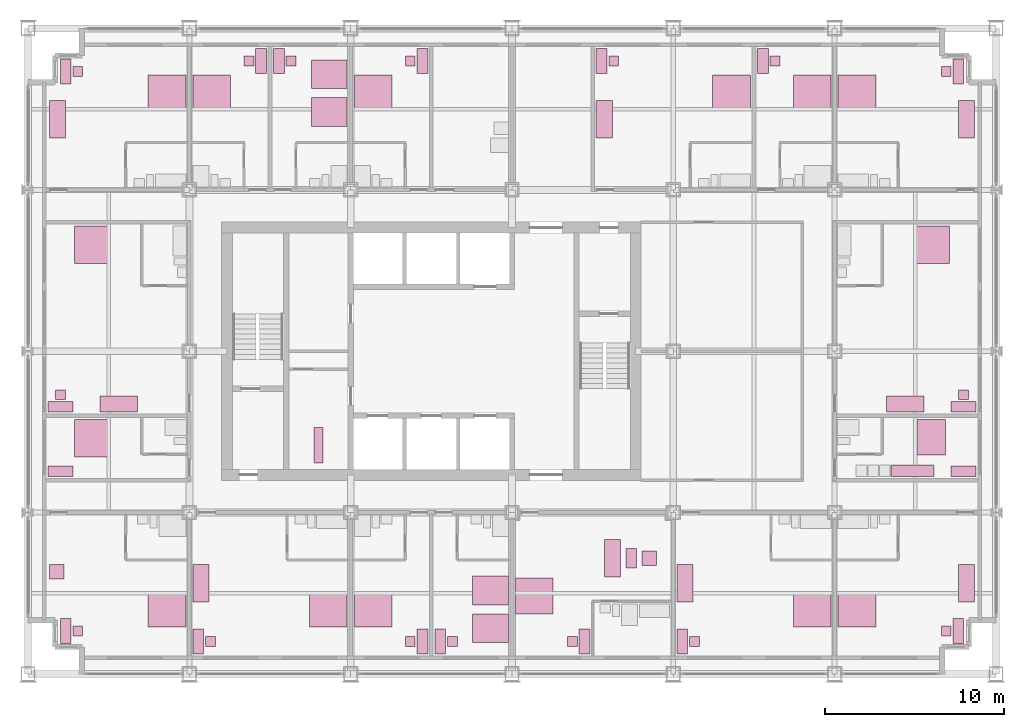
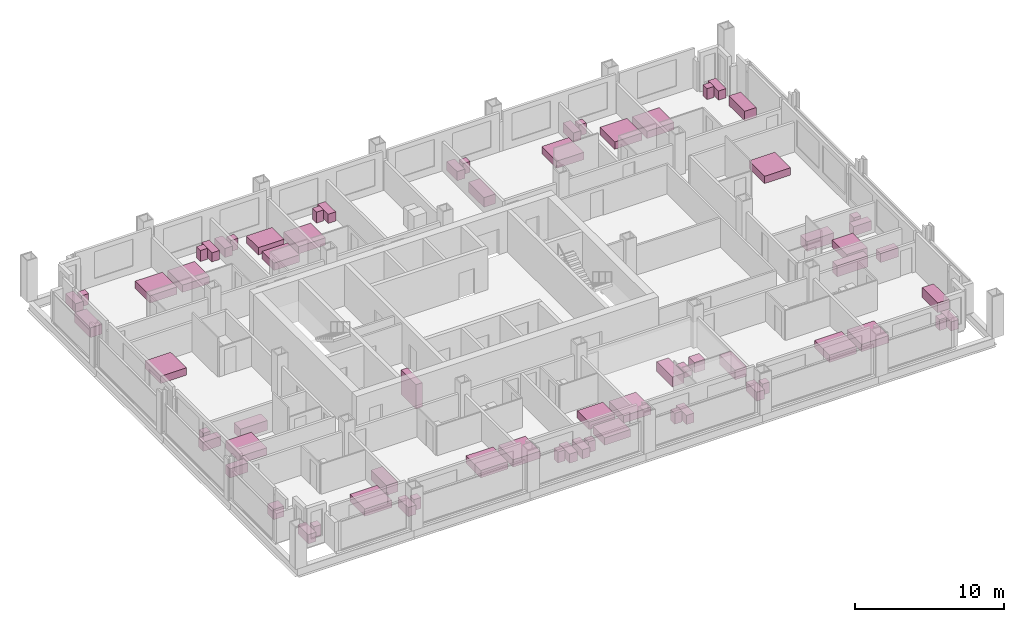
# One storey, part 18 of 18: 68 furniture elements.
"""IFC4 building model written with IfcOpenShell, lengths in metres."""

from ifc_helpers import new_model, si_unit, direction, frame, origin, origin_2d, place, context, subcontext, project, spatial, rectangle, extrude, element, save


model = new_model("IFC4")

# Units and contexts
model_context = context("Model", 3, precision=1e-05, world=origin(), true_north=direction((0.0, 1.0)))
body_context = subcontext(model_context, "Body", "Model", "MODEL_VIEW")
ifc_project = project(units=[si_unit("LENGTHUNIT", "METRE"), si_unit("AREAUNIT", "SQUARE_METRE"), si_unit("VOLUMEUNIT", "CUBIC_METRE"), si_unit("PLANEANGLEUNIT", "RADIAN"), si_unit("MASSUNIT", "GRAM", prefix="KILO")], contexts=[model_context])

# Site, building, storey
site_placement = place(None, origin())
site = spatial("IfcSite", under=ifc_project, at=site_placement, CompositionType="ELEMENT")
building_placement = place(site_placement, origin())
building = spatial("IfcBuilding", under=site, at=building_placement, Name="Loomwork Tower", CompositionType="ELEMENT")
storey_placement = place(building_placement, frame((0.0, 0.0, 68.800048828125)))
storey = spatial("IfcBuildingStorey", under=building, at=storey_placement, Name="L17", CompositionType="ELEMENT", Elevation=68.800048828125)

# Furniture
furniture_1_placement = place(storey_placement, frame((7.75, 3.60009765625, 0.0), z_axis=(0.0, 0.0, 1.0), x_axis=(1.0, 0.0, 0.0)))
element("IfcFurniture", 1, at=furniture_1_placement, inside=storey, Name="King bed L17", PredefinedType="BED", context=body_context, shape_type="SweptSolid", body=[
    extrude(rectangle(XDim=2.10009765625, YDim=2.0, at=origin_2d()), origin(), (0.0, 0.0, 1.0), 0.60009765625),
])
furniture_2_placement = place(storey_placement, frame((2.10009765625, 2.39990234375, 0.0), z_axis=(0.0, 0.0, 1.0), x_axis=(1.0, 0.0, 0.0)))
element("IfcFurniture", 2, at=furniture_2_placement, inside=storey, Name="Writing desk L17", PredefinedType="DESK", context=body_context, shape_type="SweptSolid", body=[
    extrude(rectangle(XDim=0.60009765625, YDim=1.39990234375, at=origin_2d()), origin(), (0.0, 0.0, 1.0), 0.75),
])
furniture_3_placement = place(storey_placement, frame((2.77490234375, 2.39990234375, 0.0), z_axis=(0.0, 0.0, 1.0), x_axis=(1.0, 0.0, 0.0)))
element("IfcFurniture", 3, at=furniture_3_placement, inside=storey, Name="Desk chair L17", PredefinedType="CHAIR", context=body_context, shape_type="SweptSolid", body=[
    extrude(rectangle(XDim=0.550048828125, YDim=0.550048828125, at=origin_2d()), origin(), (0.0, 0.0, 1.0), 0.89990234375),
])
furniture_4_placement = place(storey_placement, frame((1.60009765625, 5.699951171875, 0.0), z_axis=(0.0, 0.0, 1.0), x_axis=(1.0, 0.0, 0.0)))
element("IfcFurniture", 4, at=furniture_4_placement, inside=storey, Name="Lounge armchair L17", PredefinedType="CHAIR", context=body_context, shape_type="SweptSolid", body=[
    extrude(rectangle(XDim=0.800048828125, YDim=0.800048828125, at=origin_2d()), origin(), (0.0, 0.0, 1.0), 0.85009765625),
])
furniture_5_placement = place(storey_placement, frame((16.75, 3.60009765625, 0.0), z_axis=(0.0, 0.0, 1.0), x_axis=(1.0, 0.0, 0.0)))
element("IfcFurniture", 5, at=furniture_5_placement, inside=storey, Name="King bed L17", PredefinedType="BED", context=body_context, shape_type="SweptSolid", body=[
    extrude(rectangle(XDim=2.10009765625, YDim=2.0, at=origin_2d()), origin(), (0.0, 0.0, 1.0), 0.60009765625),
])
furniture_6_placement = place(storey_placement, frame((9.5, 1.800048828125, 0.0), z_axis=(0.0, 0.0, 1.0), x_axis=(1.0, 0.0, 0.0)))
element("IfcFurniture", 6, at=furniture_6_placement, inside=storey, Name="Writing desk L17", PredefinedType="DESK", context=body_context, shape_type="SweptSolid", body=[
    extrude(rectangle(XDim=0.60009765625, YDim=1.39990234375, at=origin_2d()), origin(), (0.0, 0.0, 1.0), 0.75),
])
furniture_7_placement = place(storey_placement, frame((10.175048828125, 1.800048828125, 0.0), z_axis=(0.0, 0.0, 1.0), x_axis=(1.0, 0.0, 0.0)))
element("IfcFurniture", 7, at=furniture_7_placement, inside=storey, Name="Desk chair L17", PredefinedType="CHAIR", context=body_context, shape_type="SweptSolid", body=[
    extrude(rectangle(XDim=0.550048828125, YDim=0.550048828125, at=origin_2d()), origin(), (0.0, 0.0, 1.0), 0.89990234375),
])
furniture_8_placement = place(storey_placement, frame((9.64990234375, 5.050048828125, 0.0), z_axis=(0.0, 0.0, 1.0), x_axis=(1.0, 0.0, 0.0)))
element("IfcFurniture", 8, at=furniture_8_placement, inside=storey, Name="Sofa L17", PredefinedType="SOFA", context=body_context, shape_type="SweptSolid", body=[
    extrude(rectangle(XDim=0.89990234375, YDim=2.10009765625, at=origin_2d()), origin(), (0.0, 0.0, 1.0), 0.800048828125),
])
furniture_9_placement = place(storey_placement, frame((19.25, 3.60009765625, 0.0), z_axis=(0.0, 0.0, 1.0), x_axis=(1.0, 0.0, 0.0)))
element("IfcFurniture", 9, at=furniture_9_placement, inside=storey, Name="King bed L17", PredefinedType="BED", context=body_context, shape_type="SweptSolid", body=[
    extrude(rectangle(XDim=2.10009765625, YDim=2.0, at=origin_2d()), origin(), (0.0, 0.0, 1.0), 0.60009765625),
])
furniture_10_placement = place(storey_placement, frame((22.0, 1.800048828125, 0.0), z_axis=(0.0, 0.0, 1.0), x_axis=(1.0, 0.0, 0.0)))
element("IfcFurniture", 10, at=furniture_10_placement, inside=storey, Name="Writing desk L17", PredefinedType="DESK", context=body_context, shape_type="SweptSolid", body=[
    extrude(rectangle(XDim=0.60009765625, YDim=1.39990234375, at=origin_2d()), origin(), (0.0, 0.0, 1.0), 0.75),
])
furniture_11_placement = place(storey_placement, frame((21.324951171875, 1.800048828125, 0.0), z_axis=(0.0, 0.0, 1.0), x_axis=(1.0, 0.0, 0.0)))
element("IfcFurniture", 11, at=furniture_11_placement, inside=storey, Name="Desk chair L17", PredefinedType="CHAIR", context=body_context, shape_type="SweptSolid", body=[
    extrude(rectangle(XDim=0.550048828125, YDim=0.550048828125, at=origin_2d()), origin(), (0.0, 0.0, 1.0), 0.89990234375),
])
for number, where, z_axis, x_axis, name in (
    (12, (25.800048828125, 4.64990234375, 0.0), (0.0, 0.0, 1.0), (1.0, 0.0, 0.0), "Queen bed L17"),
    (13, (25.800048828125, 2.550048828125, 0.0), (0.0, 0.0, 1.0), (1.0, 0.0, 0.0), "Queen bed L17"),
):
    element("IfcFurniture", number, at=place(storey_placement, frame(where, z_axis=z_axis, x_axis=x_axis)), inside=storey, Name=name, PredefinedType="BED", context=body_context, shape_type="SweptSolid", body=[
        extrude(rectangle(XDim=2.0, YDim=1.60009765625, at=origin_2d()), origin(), (0.0, 0.0, 1.0), 0.60009765625),
    ])
furniture_12_placement = place(storey_placement, frame((23.0, 1.800048828125, 0.0), z_axis=(0.0, 0.0, 1.0), x_axis=(1.0, 0.0, 0.0)))
element("IfcFurniture", 14, at=furniture_12_placement, inside=storey, Name="Writing desk L17", PredefinedType="DESK", context=body_context, shape_type="SweptSolid", body=[
    extrude(rectangle(XDim=0.60009765625, YDim=1.39990234375, at=origin_2d()), origin(), (0.0, 0.0, 1.0), 0.75),
])
furniture_13_placement = place(storey_placement, frame((23.675048828125, 1.800048828125, 0.0), z_axis=(0.0, 0.0, 1.0), x_axis=(1.0, 0.0, 0.0)))
element("IfcFurniture", 15, at=furniture_13_placement, inside=storey, Name="Desk chair L17", PredefinedType="CHAIR", context=body_context, shape_type="SweptSolid", body=[
    extrude(rectangle(XDim=0.550048828125, YDim=0.550048828125, at=origin_2d()), origin(), (0.0, 0.0, 1.0), 0.89990234375),
])
furniture_14_placement = place(storey_placement, frame((28.25, 4.35009765625, 0.0), z_axis=(0.0, 0.0, 1.0), x_axis=(1.0, 0.0, 0.0)))
element("IfcFurniture", 16, at=furniture_14_placement, inside=storey, Name="King bed L17", PredefinedType="BED", context=body_context, shape_type="SweptSolid", body=[
    extrude(rectangle(XDim=2.10009765625, YDim=2.0, at=origin_2d()), origin(), (0.0, 0.0, 1.0), 0.60009765625),
])
furniture_15_placement = place(storey_placement, frame((31.050048828125, 1.800048828125, 0.0), z_axis=(0.0, 0.0, 1.0), x_axis=(1.0, 0.0, 0.0)))
element("IfcFurniture", 17, at=furniture_15_placement, inside=storey, Name="Writing desk L17", PredefinedType="DESK", context=body_context, shape_type="SweptSolid", body=[
    extrude(rectangle(XDim=0.60009765625, YDim=1.39990234375, at=origin_2d()), origin(), (0.0, 0.0, 1.0), 0.75),
])
furniture_16_placement = place(storey_placement, frame((30.375, 1.800048828125, 0.0), z_axis=(0.0, 0.0, 1.0), x_axis=(1.0, 0.0, 0.0)))
element("IfcFurniture", 18, at=furniture_16_placement, inside=storey, Name="Desk chair L17", PredefinedType="CHAIR", context=body_context, shape_type="SweptSolid", body=[
    extrude(rectangle(XDim=0.550048828125, YDim=0.550048828125, at=origin_2d()), origin(), (0.0, 0.0, 1.0), 0.89990234375),
])
furniture_17_placement = place(storey_placement, frame((32.60009765625, 6.449951171875, 0.0), z_axis=(0.0, 0.0, 1.0), x_axis=(1.0, 0.0, 0.0)))
element("IfcFurniture", 19, at=furniture_17_placement, inside=storey, Name="Sofa L17", PredefinedType="SOFA", context=body_context, shape_type="SweptSolid", body=[
    extrude(rectangle(XDim=0.89990234375, YDim=2.10009765625, at=origin_2d()), origin(), (0.0, 0.0, 1.0), 0.800048828125),
])
furniture_18_placement = place(storey_placement, frame((33.64990234375, 6.449951171875, 0.0), z_axis=(0.0, 0.0, 1.0), x_axis=(1.0, 0.0, 0.0)))
element("IfcFurniture", 20, at=furniture_18_placement, inside=storey, Name="Coffee table L17", PredefinedType="TABLE", context=body_context, shape_type="SweptSolid", body=[
    extrude(rectangle(XDim=0.60009765625, YDim=1.10009765625, at=origin_2d()), origin(), (0.0, 0.0, 1.0), 0.449951171875),
])
furniture_19_placement = place(storey_placement, frame((34.64990234375, 6.449951171875, 0.0), z_axis=(0.0, 0.0, 1.0), x_axis=(1.0, 0.0, 0.0)))
element("IfcFurniture", 21, at=furniture_19_placement, inside=storey, Name="Lounge armchair L17", PredefinedType="CHAIR", context=body_context, shape_type="SweptSolid", body=[
    extrude(rectangle(XDim=0.800048828125, YDim=0.800048828125, at=origin_2d()), origin(), (0.0, 0.0, 1.0), 0.85009765625),
])
furniture_20_placement = place(storey_placement, frame((43.75, 3.60009765625, 0.0), z_axis=(0.0, 0.0, 1.0), x_axis=(1.0, 0.0, 0.0)))
element("IfcFurniture", 22, at=furniture_20_placement, inside=storey, Name="King bed L17", PredefinedType="BED", context=body_context, shape_type="SweptSolid", body=[
    extrude(rectangle(XDim=2.10009765625, YDim=2.0, at=origin_2d()), origin(), (0.0, 0.0, 1.0), 0.60009765625),
])
furniture_21_placement = place(storey_placement, frame((36.5, 1.800048828125, 0.0), z_axis=(0.0, 0.0, 1.0), x_axis=(1.0, 0.0, 0.0)))
element("IfcFurniture", 23, at=furniture_21_placement, inside=storey, Name="Writing desk L17", PredefinedType="DESK", context=body_context, shape_type="SweptSolid", body=[
    extrude(rectangle(XDim=0.60009765625, YDim=1.39990234375, at=origin_2d()), origin(), (0.0, 0.0, 1.0), 0.75),
])
furniture_22_placement = place(storey_placement, frame((37.175048828125, 1.800048828125, 0.0), z_axis=(0.0, 0.0, 1.0), x_axis=(1.0, 0.0, 0.0)))
element("IfcFurniture", 24, at=furniture_22_placement, inside=storey, Name="Desk chair L17", PredefinedType="CHAIR", context=body_context, shape_type="SweptSolid", body=[
    extrude(rectangle(XDim=0.550048828125, YDim=0.550048828125, at=origin_2d()), origin(), (0.0, 0.0, 1.0), 0.89990234375),
])
furniture_23_placement = place(storey_placement, frame((36.64990234375, 5.050048828125, 0.0), z_axis=(0.0, 0.0, 1.0), x_axis=(1.0, 0.0, 0.0)))
element("IfcFurniture", 25, at=furniture_23_placement, inside=storey, Name="Sofa L17", PredefinedType="SOFA", context=body_context, shape_type="SweptSolid", body=[
    extrude(rectangle(XDim=0.89990234375, YDim=2.10009765625, at=origin_2d()), origin(), (0.0, 0.0, 1.0), 0.800048828125),
])
furniture_24_placement = place(storey_placement, frame((46.25, 3.60009765625, 0.0), z_axis=(0.0, 0.0, 1.0), x_axis=(1.0, 0.0, 0.0)))
element("IfcFurniture", 26, at=furniture_24_placement, inside=storey, Name="King bed L17", PredefinedType="BED", context=body_context, shape_type="SweptSolid", body=[
    extrude(rectangle(XDim=2.10009765625, YDim=2.0, at=origin_2d()), origin(), (0.0, 0.0, 1.0), 0.60009765625),
])
furniture_25_placement = place(storey_placement, frame((51.89990234375, 2.39990234375, 0.0), z_axis=(0.0, 0.0, 1.0), x_axis=(1.0, 0.0, 0.0)))
element("IfcFurniture", 27, at=furniture_25_placement, inside=storey, Name="Writing desk L17", PredefinedType="DESK", context=body_context, shape_type="SweptSolid", body=[
    extrude(rectangle(XDim=0.60009765625, YDim=1.39990234375, at=origin_2d()), origin(), (0.0, 0.0, 1.0), 0.75),
])
furniture_26_placement = place(storey_placement, frame((51.22509765625, 2.39990234375, 0.0), z_axis=(0.0, 0.0, 1.0), x_axis=(1.0, 0.0, 0.0)))
element("IfcFurniture", 28, at=furniture_26_placement, inside=storey, Name="Desk chair L17", PredefinedType="CHAIR", context=body_context, shape_type="SweptSolid", body=[
    extrude(rectangle(XDim=0.550048828125, YDim=0.550048828125, at=origin_2d()), origin(), (0.0, 0.0, 1.0), 0.89990234375),
])
furniture_27_placement = place(storey_placement, frame((52.35009765625, 5.050048828125, 0.0), z_axis=(0.0, 0.0, 1.0), x_axis=(1.0, 0.0, 0.0)))
element("IfcFurniture", 29, at=furniture_27_placement, inside=storey, Name="Sofa L17", PredefinedType="SOFA", context=body_context, shape_type="SweptSolid", body=[
    extrude(rectangle(XDim=0.89990234375, YDim=2.10009765625, at=origin_2d()), origin(), (0.0, 0.0, 1.0), 0.800048828125),
])
furniture_28_placement = place(storey_placement, frame((7.75, 32.39990234375, 0.0), z_axis=(0.0, 0.0, 1.0), x_axis=(1.0, 0.0, 0.0)))
element("IfcFurniture", 30, at=furniture_28_placement, inside=storey, Name="King bed L17", PredefinedType="BED", context=body_context, shape_type="SweptSolid", body=[
    extrude(rectangle(XDim=2.10009765625, YDim=2.0, at=origin_2d()), origin(), (0.0, 0.0, 1.0), 0.60009765625),
])
furniture_29_placement = place(storey_placement, frame((2.10009765625, 33.60009765625, 0.0), z_axis=(0.0, 0.0, 1.0), x_axis=(1.0, 0.0, 0.0)))
element("IfcFurniture", 31, at=furniture_29_placement, inside=storey, Name="Writing desk L17", PredefinedType="DESK", context=body_context, shape_type="SweptSolid", body=[
    extrude(rectangle(XDim=0.60009765625, YDim=1.39990234375, at=origin_2d()), origin(), (0.0, 0.0, 1.0), 0.75),
])
furniture_30_placement = place(storey_placement, frame((2.77490234375, 33.60009765625, 0.0), z_axis=(0.0, 0.0, 1.0), x_axis=(1.0, 0.0, 0.0)))
element("IfcFurniture", 32, at=furniture_30_placement, inside=storey, Name="Desk chair L17", PredefinedType="CHAIR", context=body_context, shape_type="SweptSolid", body=[
    extrude(rectangle(XDim=0.550048828125, YDim=0.550048828125, at=origin_2d()), origin(), (0.0, 0.0, 1.0), 0.89990234375),
])
furniture_31_placement = place(storey_placement, frame((1.64990234375, 30.949951171875, 0.0), z_axis=(0.0, 0.0, 1.0), x_axis=(1.0, 0.0, 0.0)))
element("IfcFurniture", 33, at=furniture_31_placement, inside=storey, Name="Sofa L17", PredefinedType="SOFA", context=body_context, shape_type="SweptSolid", body=[
    extrude(rectangle(XDim=0.89990234375, YDim=2.10009765625, at=origin_2d()), origin(), (0.0, 0.0, 1.0), 0.800048828125),
])
furniture_32_placement = place(storey_placement, frame((10.25, 32.39990234375, 0.0), z_axis=(0.0, 0.0, 1.0), x_axis=(1.0, 0.0, 0.0)))
element("IfcFurniture", 34, at=furniture_32_placement, inside=storey, Name="King bed L17", PredefinedType="BED", context=body_context, shape_type="SweptSolid", body=[
    extrude(rectangle(XDim=2.10009765625, YDim=2.0, at=origin_2d()), origin(), (0.0, 0.0, 1.0), 0.60009765625),
])
furniture_33_placement = place(storey_placement, frame((13.0, 34.199951171875, 0.0), z_axis=(0.0, 0.0, 1.0), x_axis=(1.0, 0.0, 0.0)))
element("IfcFurniture", 35, at=furniture_33_placement, inside=storey, Name="Writing desk L17", PredefinedType="DESK", context=body_context, shape_type="SweptSolid", body=[
    extrude(rectangle(XDim=0.60009765625, YDim=1.39990234375, at=origin_2d()), origin(), (0.0, 0.0, 1.0), 0.75),
])
furniture_34_placement = place(storey_placement, frame((12.324951171875, 34.199951171875, 0.0), z_axis=(0.0, 0.0, 1.0), x_axis=(1.0, 0.0, 0.0)))
element("IfcFurniture", 36, at=furniture_34_placement, inside=storey, Name="Desk chair L17", PredefinedType="CHAIR", context=body_context, shape_type="SweptSolid", body=[
    extrude(rectangle(XDim=0.550048828125, YDim=0.550048828125, at=origin_2d()), origin(), (0.0, 0.0, 1.0), 0.89990234375),
])
for number, where, z_axis, x_axis, name in (
    (37, (16.800048828125, 31.35009765625, 0.0), (0.0, 0.0, 1.0), (1.0, 0.0, 0.0), "Queen bed L17"),
    (38, (16.800048828125, 33.449951171875, 0.0), (0.0, 0.0, 1.0), (1.0, 0.0, 0.0), "Queen bed L17"),
):
    element("IfcFurniture", number, at=place(storey_placement, frame(where, z_axis=z_axis, x_axis=x_axis)), inside=storey, Name=name, PredefinedType="BED", context=body_context, shape_type="SweptSolid", body=[
        extrude(rectangle(XDim=2.0, YDim=1.60009765625, at=origin_2d()), origin(), (0.0, 0.0, 1.0), 0.60009765625),
    ])
furniture_35_placement = place(storey_placement, frame((14.0, 34.199951171875, 0.0), z_axis=(0.0, 0.0, 1.0), x_axis=(1.0, 0.0, 0.0)))
element("IfcFurniture", 39, at=furniture_35_placement, inside=storey, Name="Writing desk L17", PredefinedType="DESK", context=body_context, shape_type="SweptSolid", body=[
    extrude(rectangle(XDim=0.60009765625, YDim=1.39990234375, at=origin_2d()), origin(), (0.0, 0.0, 1.0), 0.75),
])
furniture_36_placement = place(storey_placement, frame((14.675048828125, 34.199951171875, 0.0), z_axis=(0.0, 0.0, 1.0), x_axis=(1.0, 0.0, 0.0)))
element("IfcFurniture", 40, at=furniture_36_placement, inside=storey, Name="Desk chair L17", PredefinedType="CHAIR", context=body_context, shape_type="SweptSolid", body=[
    extrude(rectangle(XDim=0.550048828125, YDim=0.550048828125, at=origin_2d()), origin(), (0.0, 0.0, 1.0), 0.89990234375),
])
furniture_37_placement = place(storey_placement, frame((19.25, 32.39990234375, 0.0), z_axis=(0.0, 0.0, 1.0), x_axis=(1.0, 0.0, 0.0)))
element("IfcFurniture", 41, at=furniture_37_placement, inside=storey, Name="King bed L17", PredefinedType="BED", context=body_context, shape_type="SweptSolid", body=[
    extrude(rectangle(XDim=2.10009765625, YDim=2.0, at=origin_2d()), origin(), (0.0, 0.0, 1.0), 0.60009765625),
])
furniture_38_placement = place(storey_placement, frame((22.0, 34.199951171875, 0.0), z_axis=(0.0, 0.0, 1.0), x_axis=(1.0, 0.0, 0.0)))
element("IfcFurniture", 42, at=furniture_38_placement, inside=storey, Name="Writing desk L17", PredefinedType="DESK", context=body_context, shape_type="SweptSolid", body=[
    extrude(rectangle(XDim=0.60009765625, YDim=1.39990234375, at=origin_2d()), origin(), (0.0, 0.0, 1.0), 0.75),
])
furniture_39_placement = place(storey_placement, frame((21.324951171875, 34.199951171875, 0.0), z_axis=(0.0, 0.0, 1.0), x_axis=(1.0, 0.0, 0.0)))
element("IfcFurniture", 43, at=furniture_39_placement, inside=storey, Name="Desk chair L17", PredefinedType="CHAIR", context=body_context, shape_type="SweptSolid", body=[
    extrude(rectangle(XDim=0.550048828125, YDim=0.550048828125, at=origin_2d()), origin(), (0.0, 0.0, 1.0), 0.89990234375),
])
furniture_40_placement = place(storey_placement, frame((39.25, 32.39990234375, 0.0), z_axis=(0.0, 0.0, 1.0), x_axis=(1.0, 0.0, 0.0)))
element("IfcFurniture", 44, at=furniture_40_placement, inside=storey, Name="King bed L17", PredefinedType="BED", context=body_context, shape_type="SweptSolid", body=[
    extrude(rectangle(XDim=2.10009765625, YDim=2.0, at=origin_2d()), origin(), (0.0, 0.0, 1.0), 0.60009765625),
])
furniture_41_placement = place(storey_placement, frame((32.0, 34.199951171875, 0.0), z_axis=(0.0, 0.0, 1.0), x_axis=(1.0, 0.0, 0.0)))
element("IfcFurniture", 45, at=furniture_41_placement, inside=storey, Name="Writing desk L17", PredefinedType="DESK", context=body_context, shape_type="SweptSolid", body=[
    extrude(rectangle(XDim=0.60009765625, YDim=1.39990234375, at=origin_2d()), origin(), (0.0, 0.0, 1.0), 0.75),
])
furniture_42_placement = place(storey_placement, frame((32.675048828125, 34.199951171875, 0.0), z_axis=(0.0, 0.0, 1.0), x_axis=(1.0, 0.0, 0.0)))
element("IfcFurniture", 46, at=furniture_42_placement, inside=storey, Name="Desk chair L17", PredefinedType="CHAIR", context=body_context, shape_type="SweptSolid", body=[
    extrude(rectangle(XDim=0.550048828125, YDim=0.550048828125, at=origin_2d()), origin(), (0.0, 0.0, 1.0), 0.89990234375),
])
furniture_43_placement = place(storey_placement, frame((32.14990234375, 30.949951171875, 0.0), z_axis=(0.0, 0.0, 1.0), x_axis=(1.0, 0.0, 0.0)))
element("IfcFurniture", 47, at=furniture_43_placement, inside=storey, Name="Sofa L17", PredefinedType="SOFA", context=body_context, shape_type="SweptSolid", body=[
    extrude(rectangle(XDim=0.89990234375, YDim=2.10009765625, at=origin_2d()), origin(), (0.0, 0.0, 1.0), 0.800048828125),
])
furniture_44_placement = place(storey_placement, frame((43.75, 32.39990234375, 0.0), z_axis=(0.0, 0.0, 1.0), x_axis=(1.0, 0.0, 0.0)))
element("IfcFurniture", 48, at=furniture_44_placement, inside=storey, Name="King bed L17", PredefinedType="BED", context=body_context, shape_type="SweptSolid", body=[
    extrude(rectangle(XDim=2.10009765625, YDim=2.0, at=origin_2d()), origin(), (0.0, 0.0, 1.0), 0.60009765625),
])
furniture_45_placement = place(storey_placement, frame((41.0, 34.199951171875, 0.0), z_axis=(0.0, 0.0, 1.0), x_axis=(1.0, 0.0, 0.0)))
element("IfcFurniture", 49, at=furniture_45_placement, inside=storey, Name="Writing desk L17", PredefinedType="DESK", context=body_context, shape_type="SweptSolid", body=[
    extrude(rectangle(XDim=0.60009765625, YDim=1.39990234375, at=origin_2d()), origin(), (0.0, 0.0, 1.0), 0.75),
])
furniture_46_placement = place(storey_placement, frame((41.675048828125, 34.199951171875, 0.0), z_axis=(0.0, 0.0, 1.0), x_axis=(1.0, 0.0, 0.0)))
element("IfcFurniture", 50, at=furniture_46_placement, inside=storey, Name="Desk chair L17", PredefinedType="CHAIR", context=body_context, shape_type="SweptSolid", body=[
    extrude(rectangle(XDim=0.550048828125, YDim=0.550048828125, at=origin_2d()), origin(), (0.0, 0.0, 1.0), 0.89990234375),
])
furniture_47_placement = place(storey_placement, frame((46.25, 32.39990234375, 0.0), z_axis=(0.0, 0.0, 1.0), x_axis=(1.0, 0.0, 0.0)))
element("IfcFurniture", 51, at=furniture_47_placement, inside=storey, Name="King bed L17", PredefinedType="BED", context=body_context, shape_type="SweptSolid", body=[
    extrude(rectangle(XDim=2.10009765625, YDim=2.0, at=origin_2d()), origin(), (0.0, 0.0, 1.0), 0.60009765625),
])
furniture_48_placement = place(storey_placement, frame((51.89990234375, 33.60009765625, 0.0), z_axis=(0.0, 0.0, 1.0), x_axis=(1.0, 0.0, 0.0)))
element("IfcFurniture", 52, at=furniture_48_placement, inside=storey, Name="Writing desk L17", PredefinedType="DESK", context=body_context, shape_type="SweptSolid", body=[
    extrude(rectangle(XDim=0.60009765625, YDim=1.39990234375, at=origin_2d()), origin(), (0.0, 0.0, 1.0), 0.75),
])
furniture_49_placement = place(storey_placement, frame((51.22509765625, 33.60009765625, 0.0), z_axis=(0.0, 0.0, 1.0), x_axis=(1.0, 0.0, 0.0)))
element("IfcFurniture", 53, at=furniture_49_placement, inside=storey, Name="Desk chair L17", PredefinedType="CHAIR", context=body_context, shape_type="SweptSolid", body=[
    extrude(rectangle(XDim=0.550048828125, YDim=0.550048828125, at=origin_2d()), origin(), (0.0, 0.0, 1.0), 0.89990234375),
])
furniture_50_placement = place(storey_placement, frame((52.35009765625, 30.949951171875, 0.0), z_axis=(0.0, 0.0, 1.0), x_axis=(1.0, 0.0, 0.0)))
element("IfcFurniture", 54, at=furniture_50_placement, inside=storey, Name="Sofa L17", PredefinedType="SOFA", context=body_context, shape_type="SweptSolid", body=[
    extrude(rectangle(XDim=0.89990234375, YDim=2.10009765625, at=origin_2d()), origin(), (0.0, 0.0, 1.0), 0.800048828125),
])
furniture_51_placement = place(storey_placement, frame((3.60009765625, 13.14990234375, 0.0), z_axis=(0.0, 0.0, 1.0), x_axis=(1.0, 0.0, 0.0)))
element("IfcFurniture", 55, at=furniture_51_placement, inside=storey, Name="King bed L17", PredefinedType="BED", context=body_context, shape_type="SweptSolid", body=[
    extrude(rectangle(XDim=2.0, YDim=2.10009765625, at=origin_2d()), origin(), (0.0, 0.0, 1.0), 0.60009765625),
])
furniture_52_placement = place(storey_placement, frame((1.800048828125, 11.300048828125, 0.0), z_axis=(0.0, 0.0, 1.0), x_axis=(1.0, 0.0, 0.0)))
element("IfcFurniture", 56, at=furniture_52_placement, inside=storey, Name="Writing desk L17", PredefinedType="DESK", context=body_context, shape_type="SweptSolid", body=[
    extrude(rectangle(XDim=1.39990234375, YDim=0.60009765625, at=origin_2d()), origin(), (0.0, 0.0, 1.0), 0.75),
])
furniture_53_placement = place(storey_placement, frame((3.60009765625, 23.949951171875, 0.0), z_axis=(0.0, 0.0, 1.0), x_axis=(1.0, 0.0, 0.0)))
element("IfcFurniture", 57, at=furniture_53_placement, inside=storey, Name="King bed L17", PredefinedType="BED", context=body_context, shape_type="SweptSolid", body=[
    extrude(rectangle(XDim=2.0, YDim=2.10009765625, at=origin_2d()), origin(), (0.0, 0.0, 1.0), 0.60009765625),
])
furniture_54_placement = place(storey_placement, frame((1.800048828125, 14.89990234375, 0.0), z_axis=(0.0, 0.0, 1.0), x_axis=(1.0, 0.0, 0.0)))
element("IfcFurniture", 58, at=furniture_54_placement, inside=storey, Name="Writing desk L17", PredefinedType="DESK", context=body_context, shape_type="SweptSolid", body=[
    extrude(rectangle(XDim=1.39990234375, YDim=0.60009765625, at=origin_2d()), origin(), (0.0, 0.0, 1.0), 0.75),
])
furniture_55_placement = place(storey_placement, frame((1.800048828125, 15.574951171875, 0.0), z_axis=(0.0, 0.0, 1.0), x_axis=(1.0, 0.0, 0.0)))
element("IfcFurniture", 59, at=furniture_55_placement, inside=storey, Name="Desk chair L17", PredefinedType="CHAIR", context=body_context, shape_type="SweptSolid", body=[
    extrude(rectangle(XDim=0.550048828125, YDim=0.550048828125, at=origin_2d()), origin(), (0.0, 0.0, 1.0), 0.89990234375),
])
furniture_56_placement = place(storey_placement, frame((5.050048828125, 15.050048828125, 0.0), z_axis=(0.0, 0.0, 1.0), x_axis=(1.0, 0.0, 0.0)))
element("IfcFurniture", 60, at=furniture_56_placement, inside=storey, Name="Sofa L17", PredefinedType="SOFA", context=body_context, shape_type="SweptSolid", body=[
    extrude(rectangle(XDim=2.10009765625, YDim=0.89990234375, at=origin_2d()), origin(), (0.0, 0.0, 1.0), 0.800048828125),
])
furniture_57_placement = place(storey_placement, frame((50.39990234375, 13.199951171875, 0.0), z_axis=(0.0, 0.0, 1.0), x_axis=(1.0, 0.0, 0.0)))
element("IfcFurniture", 61, at=furniture_57_placement, inside=storey, Name="Queen bed L17", PredefinedType="BED", context=body_context, shape_type="SweptSolid", body=[
    extrude(rectangle(XDim=1.60009765625, YDim=2.0, at=origin_2d()), origin(), (0.0, 0.0, 1.0), 0.60009765625),
])
furniture_58_placement = place(storey_placement, frame((52.199951171875, 11.300048828125, 0.0), z_axis=(0.0, 0.0, 1.0), x_axis=(1.0, 0.0, 0.0)))
element("IfcFurniture", 62, at=furniture_58_placement, inside=storey, Name="Writing desk L17", PredefinedType="DESK", context=body_context, shape_type="SweptSolid", body=[
    extrude(rectangle(XDim=1.39990234375, YDim=0.60009765625, at=origin_2d()), origin(), (0.0, 0.0, 1.0), 0.75),
])
furniture_59_placement = place(storey_placement, frame((49.35009765625, 11.324951171875, 0.0), z_axis=(0.0, 0.0, 1.0), x_axis=(1.0, 0.0, 0.0)))
element("IfcFurniture", 63, at=furniture_59_placement, inside=storey, Name="Kitchenette counter L17", ObjectType="KITCHENETTE", PredefinedType="USERDEFINED", context=body_context, shape_type="SweptSolid", body=[
    extrude(rectangle(XDim=2.39990234375, YDim=0.64990234375, at=origin_2d()), origin(), (0.0, 0.0, 1.0), 0.89990234375),
])
furniture_60_placement = place(storey_placement, frame((50.39990234375, 23.949951171875, 0.0), z_axis=(0.0, 0.0, 1.0), x_axis=(1.0, 0.0, 0.0)))
element("IfcFurniture", 64, at=furniture_60_placement, inside=storey, Name="King bed L17", PredefinedType="BED", context=body_context, shape_type="SweptSolid", body=[
    extrude(rectangle(XDim=2.0, YDim=2.10009765625, at=origin_2d()), origin(), (0.0, 0.0, 1.0), 0.60009765625),
])
furniture_61_placement = place(storey_placement, frame((52.199951171875, 14.89990234375, 0.0), z_axis=(0.0, 0.0, 1.0), x_axis=(1.0, 0.0, 0.0)))
element("IfcFurniture", 65, at=furniture_61_placement, inside=storey, Name="Writing desk L17", PredefinedType="DESK", context=body_context, shape_type="SweptSolid", body=[
    extrude(rectangle(XDim=1.39990234375, YDim=0.60009765625, at=origin_2d()), origin(), (0.0, 0.0, 1.0), 0.75),
])
furniture_62_placement = place(storey_placement, frame((52.199951171875, 15.574951171875, 0.0), z_axis=(0.0, 0.0, 1.0), x_axis=(1.0, 0.0, 0.0)))
element("IfcFurniture", 66, at=furniture_62_placement, inside=storey, Name="Desk chair L17", PredefinedType="CHAIR", context=body_context, shape_type="SweptSolid", body=[
    extrude(rectangle(XDim=0.550048828125, YDim=0.550048828125, at=origin_2d()), origin(), (0.0, 0.0, 1.0), 0.89990234375),
])
furniture_63_placement = place(storey_placement, frame((48.949951171875, 15.050048828125, 0.0), z_axis=(0.0, 0.0, 1.0), x_axis=(1.0, 0.0, 0.0)))
element("IfcFurniture", 67, at=furniture_63_placement, inside=storey, Name="Sofa L17", PredefinedType="SOFA", context=body_context, shape_type="SweptSolid", body=[
    extrude(rectangle(XDim=2.10009765625, YDim=0.89990234375, at=origin_2d()), origin(), (0.0, 0.0, 1.0), 0.800048828125),
])
furniture_64_placement = place(storey_placement, frame((16.199951171875, 12.75, 0.0), z_axis=(0.0, 0.0, 1.0), x_axis=(1.0, 0.0, 0.0)))
element("IfcFurniture", 68, at=furniture_64_placement, inside=storey, Name="Linen shelving L17", PredefinedType="SHELF", context=body_context, shape_type="SweptSolid", body=[
    extrude(rectangle(XDim=0.5, YDim=2.0, at=origin_2d()), origin(), (0.0, 0.0, 1.0), 2.0),
])

save(model, "model.ifc")
